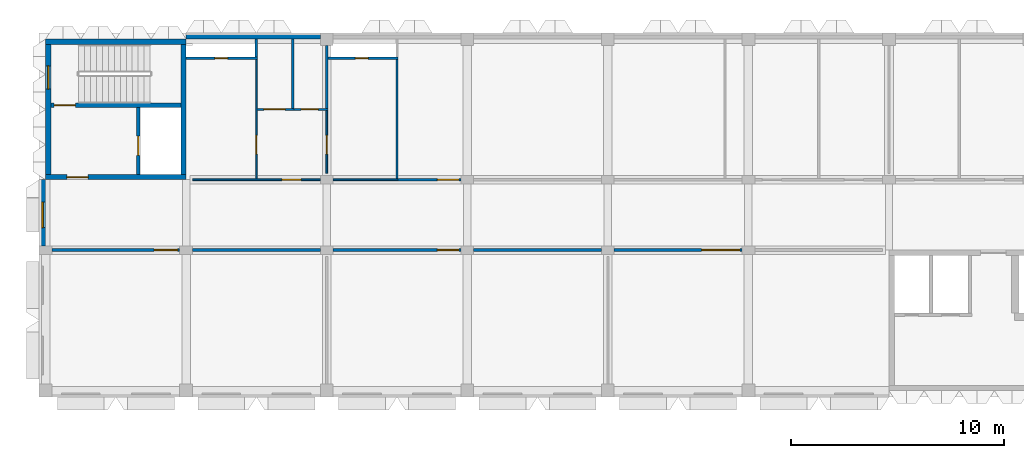
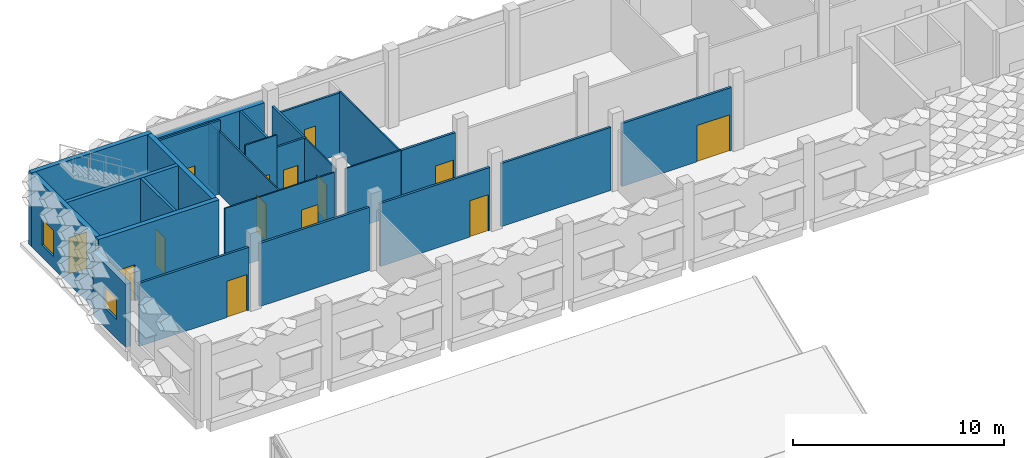
# One storey, part 58 of 109: 26 walls, 14 doors, 2 windows, 16 openings.
"""IFC4 building model written with IfcOpenShell, lengths in metres."""

from ifc_helpers import new_model, si_unit, direction, frame, frame_2d, origin, place, context, subcontext, project, spatial, rectangle, extrude, material, layer, layer_set, type_object, element, fill, save


model = new_model("IFC4")

# Units and contexts
model_context = context("Model", 3, precision=1e-05, world=origin(), true_north=direction((0.0, 1.0)))
body_context = subcontext(model_context, "Body", "Model", "MODEL_VIEW")
ifc_project = project(units=[si_unit("LENGTHUNIT", "METRE"), si_unit("AREAUNIT", "SQUARE_METRE"), si_unit("VOLUMEUNIT", "CUBIC_METRE"), si_unit("PLANEANGLEUNIT", "RADIAN"), si_unit("MASSUNIT", "GRAM", prefix="KILO")], contexts=[model_context])

# Site, building, storey
site_placement = place(None, origin())
site = spatial("IfcSite", under=ifc_project, at=site_placement, CompositionType="ELEMENT")
building_placement = place(site_placement, origin())
building = spatial("IfcBuilding", under=site, at=building_placement, Name="Lantern Court Research Institute", CompositionType="ELEMENT")
storey_placement = place(building_placement, frame((0.0, 0.0, 14.39990234375)))
storey = spatial("IfcBuildingStorey", under=building, at=storey_placement, Name="L03", CompositionType="ELEMENT", Elevation=14.39990234375)

# Wall, opening, window
ifc_material_1 = material(Name="Concrete C30/37", Category="concrete")
ifc_layer_1 = layer(ifc_material_1, 0.300048828125)
ifc_layer_set_1 = layer_set([ifc_layer_1], Name="Concrete C30/37")
wall_type_1 = type_object("IfcWallType", Name="Insulated concrete infill wall 300", PredefinedType="STANDARD", material=ifc_layer_set_1)
wall_1_placement = place(storey_placement, frame((-0.14990234375, 89.300048828125, 0.0), z_axis=(0.0, 0.0, 1.0), x_axis=(0.0, 1.0, 0.0)))
wall_1 = element("IfcWall", 1, at=wall_1_placement, inside=storey, type_object=wall_type_1, Name="Exterior wall EW202", PredefinedType="STANDARD", context=body_context, shape_type="SweptSolid", body=[
    extrude(rectangle(XDim=3.099853515625, YDim=0.300048828125, at=frame_2d((1.5498046875, 0.0))), origin(), (0.0, 0.0, 1.0), 3.650146484375),
])
opening_1_placement = place(wall_1_placement, frame((0.85009765625, 0.0, 1.10009765625)))
opening_1 = element("IfcOpeningElement", 2, at=opening_1_placement, cuts=wall_1, Name="Opening W05", PredefinedType="OPENING", context=body_context, shape_type="SweptSolid", body=[
    extrude(rectangle(XDim=1.199951171875, YDim=1.199951171875, at=frame_2d((0.60009765625, 0.60009765625))), frame((0.0, 0.159912109375, 0.0), z_axis=(0.0, -1.0, 0.0), x_axis=(1.0, 0.0, 0.0)), (0.0, 0.0, 1.0), 0.320068359375),
])
ifc_material_2 = material(Name="Aluminium frame with laminated low-emissivity glazing", Category="aluminium")
window_type_1 = type_object("IfcWindowType", Name="Corridor end window 1200 x 1200", PartitioningType="SINGLE_PANEL", PredefinedType="WINDOW", material=ifc_material_2)
window_1_placement = place(opening_1_placement, origin())
window_1 = element("IfcWindow", 3, at=window_1_placement, inside=storey, type_object=window_type_1, Name="Window W05 V6W L03", OverallHeight=1.199951171875, OverallWidth=1.199951171875, PartitioningType="SINGLE_PANEL", PredefinedType="WINDOW", context=body_context, shape_type="SweptSolid", body=[
    extrude(rectangle(XDim=1.199951171875, YDim=1.199951171875, at=frame_2d((0.60009765625, 0.60009765625))), frame((0.0, 0.030029296875, 0.0), z_axis=(0.0, -1.0, 0.0), x_axis=(1.0, 0.0, 0.0)), (0.0, 0.0, 1.0), 0.06005859375),
])
fill(opening_1, window_1)

# Wall
ifc_material_3 = material(Name="Concrete C30/37", Category="concrete")
ifc_layer_2 = layer(ifc_material_3, 0.300048828125)
ifc_layer_set_2 = layer_set([ifc_layer_2], Name="Concrete C30/37")
wall_type_2 = type_object("IfcWallType", Name="Party wall 300 concrete EI 120", PredefinedType="STANDARD", material=ifc_layer_set_2)
wall_2_placement = place(storey_placement, frame((6.60009765625, 99.14990234375, 0.0), z_axis=(0.0, 0.0, 1.0), x_axis=(1.0, 0.0, 0.0)))
element("IfcWall", 4, at=wall_2_placement, inside=storey, type_object=wall_type_2, Name="Exterior wall EW181", PredefinedType="STANDARD", context=body_context, shape_type="SweptSolid", body=[
    extrude(rectangle(XDim=6.2998046875, YDim=0.300048828125, at=frame_2d((3.14990234375, 0.0))), origin(), (0.0, 0.0, 1.0), 3.650146484375),
])

# Wall, opening, door
ifc_material_4 = material(Name="Gypsum board on metal studs")
ifc_layer_3 = layer(ifc_material_4, 0.125)
ifc_layer_set_3 = layer_set([ifc_layer_3], Name="Gypsum board on metal studs")
wall_type_3 = type_object("IfcWallType", Name="Protected corridor partition 125 mm EI 30", PredefinedType="PARTITIONING", material=ifc_layer_set_3)
wall_3_placement = place(storey_placement, frame((6.300048828125, 89.10009765625, 0.0), z_axis=(0.0, 0.0, 1.0), x_axis=(-1.0, 0.0, 0.0)))
wall_3 = element("IfcWall", 5, at=wall_3_placement, inside=storey, type_object=wall_type_3, Name="Wall V6-L03-001", PredefinedType="PARTITIONING", context=body_context, shape_type="SweptSolid", body=[
    extrude(rectangle(XDim=6.0, YDim=0.125, at=frame_2d((3.0, 0.0))), origin(), (0.0, 0.0, 1.0), 3.650146484375),
])
opening_2_placement = place(wall_3_placement, frame((0.10009765625, 0.0, 0.0)))
opening_2 = element("IfcOpeningElement", 6, at=opening_2_placement, cuts=wall_3, Name="Opening D6301", PredefinedType="OPENING", context=body_context, shape_type="SweptSolid", body=[
    extrude(rectangle(XDim=1.10009765625, YDim=2.10009765625, at=frame_2d((0.550048828125, 1.050048828125))), frame((0.0, 0.072509765625, 0.0), z_axis=(0.0, -1.0, 0.0), x_axis=(1.0, 0.0, 0.0)), (0.0, 0.0, 1.0), 0.14501953125),
])
ifc_material_5 = material(Name="Timber veneered door leaf", Category="wood")
door_type_1 = type_object("IfcDoorType", Name="Door 1100 x 2100 suite FD30S", OperationType="NOTDEFINED", PredefinedType="DOOR", material=ifc_material_5)
door_1_placement = place(opening_2_placement, origin())
door_1 = element("IfcDoor", 7, at=door_1_placement, inside=storey, type_object=door_type_1, Name="Door D6301", OperationType="SINGLE_SWING_RIGHT", OverallHeight=2.10009765625, OverallWidth=1.10009765625, PredefinedType="DOOR", context=body_context, shape_type="SweptSolid", body=[
    extrude(rectangle(XDim=1.10009765625, YDim=2.10009765625, at=frame_2d((0.550048828125, 1.050048828125))), frame((0.0, 0.02490234375, 0.0), z_axis=(0.0, -1.0, 0.0), x_axis=(1.0, 0.0, 0.0)), (0.0, 0.0, 1.0), 0.050048828125),
])
fill(opening_2, door_1)

# Wall
wall_4_placement = place(storey_placement, frame((6.89990234375, 89.10009765625, 0.0), z_axis=(0.0, 0.0, 1.0), x_axis=(1.0, 0.0, 0.0)))
element("IfcWall", 8, at=wall_4_placement, inside=storey, type_object=wall_type_3, Name="Wall V6-L03-002", PredefinedType="PARTITIONING", context=body_context, shape_type="SweptSolid", body=[
    extrude(rectangle(XDim=6.0, YDim=0.125, at=frame_2d((3.0, 0.0))), origin(), (0.0, 0.0, 1.0), 3.650146484375),
])

# Wall, opening, door
wall_5_placement = place(storey_placement, frame((19.5, 89.10009765625, 0.0), z_axis=(0.0, 0.0, 1.0), x_axis=(-1.0, 0.0, 0.0)))
wall_5 = element("IfcWall", 9, at=wall_5_placement, inside=storey, type_object=wall_type_3, Name="Wall V6-L03-003", PredefinedType="PARTITIONING", context=body_context, shape_type="SweptSolid", body=[
    extrude(rectangle(XDim=6.0, YDim=0.125, at=frame_2d((3.0, 0.0))), origin(), (0.0, 0.0, 1.0), 3.650146484375),
])
opening_3_placement = place(wall_5_placement, frame((0.10009765625, 0.0, 0.0)))
opening_3 = element("IfcOpeningElement", 10, at=opening_3_placement, cuts=wall_5, Name="Opening D6302", PredefinedType="OPENING", context=body_context, shape_type="SweptSolid", body=[
    extrude(rectangle(XDim=1.0, YDim=2.10009765625, at=frame_2d((0.5, 1.050048828125))), frame((0.0, 0.072509765625, 0.0), z_axis=(0.0, -1.0, 0.0), x_axis=(1.0, 0.0, 0.0)), (0.0, 0.0, 1.0), 0.14501953125),
])
ifc_material_6 = material(Name="Timber veneered door leaf", Category="wood")
door_type_2 = type_object("IfcDoorType", Name="Door 1000 x 2100 meeting room FD30S", OperationType="NOTDEFINED", PredefinedType="DOOR", material=ifc_material_6)
door_2_placement = place(opening_3_placement, origin())
door_2 = element("IfcDoor", 11, at=door_2_placement, inside=storey, type_object=door_type_2, Name="Door D6302", OperationType="SINGLE_SWING_RIGHT", OverallHeight=2.10009765625, OverallWidth=1.0, PredefinedType="DOOR", context=body_context, shape_type="SweptSolid", body=[
    extrude(rectangle(XDim=1.0, YDim=2.10009765625, at=frame_2d((0.5, 1.050048828125))), frame((0.0, 0.02490234375, 0.0), z_axis=(0.0, -1.0, 0.0), x_axis=(1.0, 0.0, 0.0)), (0.0, 0.0, 1.0), 0.050048828125),
])
fill(opening_3, door_2)

# Wall
wall_6_placement = place(storey_placement, frame((20.10009765625, 89.10009765625, 0.0), z_axis=(0.0, 0.0, 1.0), x_axis=(1.0, 0.0, 0.0)))
element("IfcWall", 12, at=wall_6_placement, inside=storey, type_object=wall_type_3, Name="Wall V6-L03-004", PredefinedType="PARTITIONING", context=body_context, shape_type="SweptSolid", body=[
    extrude(rectangle(XDim=6.0, YDim=0.125, at=frame_2d((3.0, 0.0))), origin(), (0.0, 0.0, 1.0), 3.650146484375),
])

# Wall, opening, door
wall_7_placement = place(storey_placement, frame((26.699951171875, 89.10009765625, 0.0), z_axis=(0.0, 0.0, 1.0), x_axis=(1.0, 0.0, 0.0)))
wall_7 = element("IfcWall", 13, at=wall_7_placement, inside=storey, type_object=wall_type_3, Name="Wall V6-L03-005", PredefinedType="PARTITIONING", context=body_context, shape_type="SweptSolid", body=[
    extrude(rectangle(XDim=6.0, YDim=0.125, at=frame_2d((3.0, 0.0))), origin(), (0.0, 0.0, 1.0), 3.650146484375),
])
opening_4_placement = place(wall_7_placement, frame((4.10009765625, 0.0, 0.0)))
opening_4 = element("IfcOpeningElement", 14, at=opening_4_placement, cuts=wall_7, Name="Opening D6303", PredefinedType="OPENING", context=body_context, shape_type="SweptSolid", body=[
    extrude(rectangle(XDim=1.800048828125, YDim=2.10009765625, at=frame_2d((0.89990234375, 1.050048828125))), frame((0.0, 0.072509765625, 0.0), z_axis=(0.0, -1.0, 0.0), x_axis=(1.0, 0.0, 0.0)), (0.0, 0.0, 1.0), 0.14501953125),
])
ifc_material_7 = material(Name="Timber veneered door leaf", Category="wood")
door_type_3 = type_object("IfcDoorType", Name="Door 1800 x 2100 reception pair FD30S", OperationType="DOUBLE_DOOR_SINGLE_SWING", PredefinedType="DOOR", material=ifc_material_7)
door_3_placement = place(opening_4_placement, origin())
door_3 = element("IfcDoor", 15, at=door_3_placement, inside=storey, type_object=door_type_3, Name="Door D6303", OperationType="DOUBLE_DOOR_SINGLE_SWING", OverallHeight=2.10009765625, OverallWidth=1.800048828125, PredefinedType="DOOR", context=body_context, shape_type="SweptSolid", body=[
    extrude(rectangle(XDim=1.800048828125, YDim=2.10009765625, at=frame_2d((0.89990234375, 1.050048828125))), frame((0.0, 0.02490234375, 0.0), z_axis=(0.0, -1.0, 0.0), x_axis=(1.0, 0.0, 0.0)), (0.0, 0.0, 1.0), 0.050048828125),
])
fill(opening_4, door_3)

wall_8_placement = place(storey_placement, frame((16.5380859375, 92.39990234375, 0.0), z_axis=(0.0, 0.0, 1.0), x_axis=(1.0, 0.0, 0.0)))
wall_8 = element("IfcWall", 16, at=wall_8_placement, inside=storey, type_object=wall_type_3, Name="Wall V6-L03-013", PredefinedType="PARTITIONING", context=body_context, shape_type="SweptSolid", body=[
    extrude(rectangle(XDim=2.9619140625, YDim=0.125, at=frame_2d((1.48095703125, 0.0))), origin(), (0.0, 0.0, 1.0), 3.650146484375),
])
opening_5_placement = place(wall_8_placement, frame((1.862060546875, 0.0, 0.0)))
opening_5 = element("IfcOpeningElement", 17, at=opening_5_placement, cuts=wall_8, Name="Opening D6310", PredefinedType="OPENING", context=body_context, shape_type="SweptSolid", body=[
    extrude(rectangle(XDim=1.0, YDim=2.10009765625, at=frame_2d((0.5, 1.050048828125))), frame((0.0, 0.072509765625, 0.0), z_axis=(0.0, -1.0, 0.0), x_axis=(1.0, 0.0, 0.0)), (0.0, 0.0, 1.0), 0.14501953125),
])
door_4_placement = place(opening_5_placement, origin())
door_4 = element("IfcDoor", 18, at=door_4_placement, inside=storey, type_object=door_type_2, Name="Door D6310", OperationType="SINGLE_SWING_LEFT", OverallHeight=2.10009765625, OverallWidth=1.0, PredefinedType="DOOR", context=body_context, shape_type="SweptSolid", body=[
    extrude(rectangle(XDim=1.0, YDim=2.10009765625, at=frame_2d((0.5, 1.050048828125))), frame((0.0, 0.02490234375, 0.0), z_axis=(0.0, -1.0, 0.0), x_axis=(1.0, 0.0, 0.0)), (0.0, 0.0, 1.0), 0.050048828125),
])
fill(opening_5, door_4)

ifc_material_8 = material(Name="Concrete C40/50", Category="concrete")
ifc_layer_4 = layer(ifc_material_8, 0.25)
ifc_layer_set_4 = layer_set([ifc_layer_4], Name="Concrete C40/50")
wall_type_4 = type_object("IfcWallType", Name="RC core wall 250", PredefinedType="SHEAR", material=ifc_layer_set_4)
wall_9_placement = place(storey_placement, frame((0.0, 92.52490234375, 0.0), z_axis=(0.0, 0.0, 1.0), x_axis=(1.0, 0.0, 0.0)))
wall_9 = element("IfcWall", 19, at=wall_9_placement, inside=storey, type_object=wall_type_4, Name="South wall of core WC-W", PredefinedType="SHEAR", context=body_context, shape_type="SweptSolid", body=[
    extrude(rectangle(XDim=6.60009765625, YDim=0.25, at=frame_2d((3.300048828125, 0.0))), origin(), (0.0, 0.0, 1.0), 4.25),
])
opening_6_placement = place(wall_9_placement, frame((1.0, 0.0, 0.0)))
opening_6 = element("IfcOpeningElement", 20, at=opening_6_placement, cuts=wall_9, Name="Opening D7211", PredefinedType="OPENING", context=body_context, shape_type="SweptSolid", body=[
    extrude(rectangle(XDim=1.0, YDim=2.10009765625, at=frame_2d((0.5, 1.050048828125))), frame((0.0, 0.135009765625, 0.0), z_axis=(0.0, -1.0, 0.0), x_axis=(1.0, 0.0, 0.0)), (0.0, 0.0, 1.0), 0.27001953125),
])
ifc_material_9 = material(Name="Steel fire door leaf with smoke seals", Category="steel")
door_type_4 = type_object("IfcDoorType", Name="Door 1000 x 2100 fire rated FD60S", OperationType="NOTDEFINED", PredefinedType="DOOR", material=ifc_material_9)
door_5_placement = place(opening_6_placement, origin())
door_5 = element("IfcDoor", 21, at=door_5_placement, inside=storey, type_object=door_type_4, Name="Lobby door", OperationType="SINGLE_SWING_RIGHT", OverallHeight=2.10009765625, OverallWidth=1.0, PredefinedType="DOOR", context=body_context, shape_type="SweptSolid", body=[
    extrude(rectangle(XDim=1.0, YDim=2.10009765625, at=frame_2d((0.5, 1.050048828125))), frame((0.0, 0.02490234375, 0.0), z_axis=(0.0, -1.0, 0.0), x_axis=(1.0, 0.0, 0.0)), (0.0, 0.0, 1.0), 0.050048828125),
])
fill(opening_6, door_5)

# Walls
wall_10_placement = place(storey_placement, frame((6.47509765625, 92.64990234375, 0.0), z_axis=(0.0, 0.0, 1.0), x_axis=(0.0, 1.0, 0.0)))
element("IfcWall", 22, at=wall_10_placement, inside=storey, type_object=wall_type_4, Name="East wall of core WC-W", PredefinedType="SHEAR", context=body_context, shape_type="SweptSolid", body=[
    extrude(rectangle(XDim=6.10009765625, YDim=0.25, at=frame_2d((3.050048828125, 0.0))), origin(), (0.0, 0.0, 1.0), 4.25),
])
ifc_material_10 = material(Name="Concrete C40/50", Category="concrete")
ifc_layer_5 = layer(ifc_material_10, 0.25)
ifc_layer_set_5 = layer_set([ifc_layer_5], Name="Concrete C40/50")
wall_type_5 = type_object("IfcWallType", Name="RC core wall 250 facade", PredefinedType="SHEAR", material=ifc_layer_set_5)
wall_11_placement = place(storey_placement, frame((0.0, 98.875, 0.0), z_axis=(0.0, 0.0, 1.0), x_axis=(1.0, 0.0, 0.0)))
element("IfcWall", 23, at=wall_11_placement, inside=storey, type_object=wall_type_5, Name="North wall of core WC-W", PredefinedType="SHEAR", context=body_context, shape_type="SweptSolid", body=[
    extrude(rectangle(XDim=6.60009765625, YDim=0.25, at=frame_2d((3.300048828125, 0.0))), origin(), (0.0, 0.0, 1.0), 4.25),
])

# Wall, opening, window
wall_12_placement = place(storey_placement, frame((0.125, 92.64990234375, 0.0), z_axis=(0.0, 0.0, 1.0), x_axis=(0.0, 1.0, 0.0)))
wall_12 = element("IfcWall", 24, at=wall_12_placement, inside=storey, type_object=wall_type_5, Name="West wall of core WC-W", PredefinedType="SHEAR", context=body_context, shape_type="SweptSolid", body=[
    extrude(rectangle(XDim=6.10009765625, YDim=0.25, at=frame_2d((3.050048828125, 0.0))), origin(), (0.0, 0.0, 1.0), 4.25),
])
opening_7_placement = place(wall_12_placement, frame((4.0, 0.0, 0.699951171875)))
opening_7 = element("IfcOpeningElement", 25, at=opening_7_placement, cuts=wall_12, Name="Opening W5", PredefinedType="OPENING", context=body_context, shape_type="SweptSolid", body=[
    extrude(rectangle(XDim=1.10009765625, YDim=1.5, at=frame_2d((0.550048828125, 0.75))), frame((0.0, 0.135009765625, 0.0), z_axis=(0.0, -1.0, 0.0), x_axis=(1.0, 0.0, 0.0)), (0.0, 0.0, 1.0), 0.27001953125),
])
ifc_material_11 = material(Name="Aluminium alloy 6063-T6 frame with laminated glass", Category="aluminium")
window_type_2 = type_object("IfcWindowType", Name="Stair window 1100 x 1500", PartitioningType="SINGLE_PANEL", PredefinedType="WINDOW", material=ifc_material_11)
window_2_placement = place(opening_7_placement, origin())
window_2 = element("IfcWindow", 26, at=window_2_placement, inside=storey, type_object=window_type_2, Name="Stair window", OverallHeight=1.5, OverallWidth=1.10009765625, PartitioningType="SINGLE_PANEL", PredefinedType="WINDOW", context=body_context, shape_type="SweptSolid", body=[
    extrude(rectangle(XDim=1.10009765625, YDim=1.5, at=frame_2d((0.550048828125, 0.75))), frame((0.0, 0.030029296875, 0.0), z_axis=(0.0, -1.0, 0.0), x_axis=(1.0, 0.0, 0.0)), (0.0, 0.0, 1.0), 0.06005859375),
])
fill(opening_7, window_2)

# Wall, opening, door
ifc_material_12 = material(Name="Concrete C40/50", Category="concrete")
ifc_layer_6 = layer(ifc_material_12, 0.14990234375)
ifc_layer_set_6 = layer_set([ifc_layer_6], Name="Concrete C40/50")
wall_type_6 = type_object("IfcWallType", Name="RC shaft wall 150", PredefinedType="SHEAR", material=ifc_layer_set_6)
wall_13_placement = place(storey_placement, frame((4.35009765625, 92.64990234375, 0.0), z_axis=(0.0, 0.0, 1.0), x_axis=(0.0, 1.0, 0.0)))
wall_13 = element("IfcWall", 27, at=wall_13_placement, inside=storey, type_object=wall_type_6, Name="Riser wall of core WC-W", PredefinedType="SHEAR", context=body_context, shape_type="SweptSolid", body=[
    extrude(rectangle(XDim=3.150146484375, YDim=0.14990234375, at=frame_2d((1.5751953125, 0.0))), origin(), (0.0, 0.0, 1.0), 4.25),
])
opening_8_placement = place(wall_13_placement, frame((0.89990234375, 0.0, 0.0)))
opening_8 = element("IfcOpeningElement", 28, at=opening_8_placement, cuts=wall_13, Name="Opening D7210", PredefinedType="OPENING", context=body_context, shape_type="SweptSolid", body=[
    extrude(rectangle(XDim=0.89990234375, YDim=2.10009765625, at=frame_2d((0.449951171875, 1.050048828125))), frame((0.0, 0.0849609375, 0.0), z_axis=(0.0, -1.0, 0.0), x_axis=(1.0, 0.0, 0.0)), (0.0, 0.0, 1.0), 0.169921875),
])
ifc_material_13 = material(Name="Steel fire door leaf", Category="steel")
door_type_5 = type_object("IfcDoorType", Name="Door 900 x 2100 fire rated FD60", OperationType="NOTDEFINED", PredefinedType="DOOR", material=ifc_material_13)
door_6_placement = place(opening_8_placement, origin())
door_6 = element("IfcDoor", 29, at=door_6_placement, inside=storey, type_object=door_type_5, Name="Riser door", OperationType="SINGLE_SWING_RIGHT", OverallHeight=2.10009765625, OverallWidth=0.89990234375, PredefinedType="DOOR", context=body_context, shape_type="SweptSolid", body=[
    extrude(rectangle(XDim=0.89990234375, YDim=2.10009765625, at=frame_2d((0.449951171875, 1.050048828125))), frame((0.0, 0.02490234375, 0.0), z_axis=(0.0, -1.0, 0.0), x_axis=(1.0, 0.0, 0.0)), (0.0, 0.0, 1.0), 0.050048828125),
])
fill(opening_8, door_6)

ifc_material_14 = material(Name="Concrete C40/50", Category="concrete")
ifc_layer_7 = layer(ifc_material_14, 0.199951171875)
ifc_layer_set_7 = layer_set([ifc_layer_7], Name="Concrete C40/50")
wall_type_7 = type_object("IfcWallType", Name="RC shaft wall 200", PredefinedType="SHEAR", material=ifc_layer_set_7)
wall_14_placement = place(storey_placement, frame((0.25, 95.89990234375, 0.0), z_axis=(0.0, 0.0, 1.0), x_axis=(1.0, 0.0, 0.0)))
wall_14 = element("IfcWall", 30, at=wall_14_placement, inside=storey, type_object=wall_type_7, Name="Stair wall of core WC-W", PredefinedType="SHEAR", context=body_context, shape_type="SweptSolid", body=[
    extrude(rectangle(XDim=6.10009765625, YDim=0.199951171875, at=frame_2d((3.050048828125, 0.0))), origin(), (0.0, 0.0, 1.0), 4.25),
])
opening_9_placement = place(wall_14_placement, frame((0.14990234375, 0.0, 0.0)))
opening_9 = element("IfcOpeningElement", 31, at=opening_9_placement, cuts=wall_14, Name="Opening D7212", PredefinedType="OPENING", context=body_context, shape_type="SweptSolid", body=[
    extrude(rectangle(XDim=1.0, YDim=2.10009765625, at=frame_2d((0.5, 1.050048828125))), frame((0.0, 0.10986328125, 0.0), z_axis=(0.0, -1.0, 0.0), x_axis=(1.0, 0.0, 0.0)), (0.0, 0.0, 1.0), 0.219970703125),
])
door_7_placement = place(opening_9_placement, origin())
door_7 = element("IfcDoor", 32, at=door_7_placement, inside=storey, type_object=door_type_4, Name="Stair door", OperationType="SINGLE_SWING_RIGHT", OverallHeight=2.10009765625, OverallWidth=1.0, PredefinedType="DOOR", context=body_context, shape_type="SweptSolid", body=[
    extrude(rectangle(XDim=1.0, YDim=2.10009765625, at=frame_2d((0.5, 1.050048828125))), frame((0.0, 0.02490234375, 0.0), z_axis=(0.0, -1.0, 0.0), x_axis=(1.0, 0.0, 0.0)), (0.0, 0.0, 1.0), 0.050048828125),
])
fill(opening_9, door_7)

ifc_material_15 = material(Name="Fire-rated gypsum board on metal studs")
ifc_layer_8 = layer(ifc_material_15, 0.110107421875)
ifc_layer_set_8 = layer_set([ifc_layer_8], Name="Fire-rated gypsum board on metal studs")
wall_type_8 = type_object("IfcWallType", Name="Riser wall 110 mm EI 60", PredefinedType="PARTITIONING", material=ifc_layer_set_8)
wall_15_placement = place(storey_placement, frame((11.655029296875, 95.699951171875, 0.0), z_axis=(0.0, 0.0, 1.0), x_axis=(1.0, 0.0, 0.0)))
wall_15 = element("IfcWall", 33, at=wall_15_placement, inside=storey, type_object=wall_type_8, Name="Wall V6-L03-024", PredefinedType="PARTITIONING", context=body_context, shape_type="SweptSolid", body=[
    extrude(rectangle(XDim=1.599853515625, YDim=0.110107421875, at=frame_2d((0.7998046875, 0.0))), origin(), (0.0, 0.0, 1.0), 3.550048828125),
])
opening_10_placement = place(wall_15_placement, frame((0.344970703125, 0.0, 0.0)))
opening_10 = element("IfcOpeningElement", 34, at=opening_10_placement, cuts=wall_15, Name="Opening D6320", PredefinedType="OPENING", context=body_context, shape_type="SweptSolid", body=[
    extrude(rectangle(XDim=0.800048828125, YDim=2.10009765625, at=frame_2d((0.39990234375, 1.050048828125))), frame((0.0, 0.06494140625, 0.0), z_axis=(0.0, -1.0, 0.0), x_axis=(1.0, 0.0, 0.0)), (0.0, 0.0, 1.0), 0.130126953125),
])
ifc_material_16 = material(Name="Coated metal door leaf")
door_type_6 = type_object("IfcDoorType", Name="Door 800 x 2100 cleaners store FD60", OperationType="NOTDEFINED", PredefinedType="DOOR", material=ifc_material_16)
door_8_placement = place(opening_10_placement, origin())
door_8 = element("IfcDoor", 35, at=door_8_placement, inside=storey, type_object=door_type_6, Name="Door D6320", OperationType="SINGLE_SWING_RIGHT", OverallHeight=2.10009765625, OverallWidth=0.800048828125, PredefinedType="DOOR", context=body_context, shape_type="SweptSolid", body=[
    extrude(rectangle(XDim=0.800048828125, YDim=2.10009765625, at=frame_2d((0.39990234375, 1.050048828125))), frame((0.0, 0.02490234375, 0.0), z_axis=(0.0, -1.0, 0.0), x_axis=(1.0, 0.0, 0.0)), (0.0, 0.0, 1.0), 0.050048828125),
])
fill(opening_10, door_8)

wall_16_placement = place(storey_placement, frame((9.955078125, 98.10009765625, 0.0), z_axis=(0.0, 0.0, 1.0), x_axis=(-1.0, 0.0, 0.0)))
wall_16 = element("IfcWall", 36, at=wall_16_placement, inside=storey, type_object=wall_type_8, Name="Wall V6-L03-027", PredefinedType="PARTITIONING", context=body_context, shape_type="SweptSolid", body=[
    extrude(rectangle(XDim=3.35498046875, YDim=0.110107421875, at=frame_2d((1.677490234375, 0.0))), origin(), (0.0, 0.0, 1.0), 4.25),
])
opening_11_placement = place(wall_16_placement, frame((1.405029296875, 0.0, 0.0)))
opening_11 = element("IfcOpeningElement", 37, at=opening_11_placement, cuts=wall_16, Name="Opening D6323", PredefinedType="OPENING", context=body_context, shape_type="SweptSolid", body=[
    extrude(rectangle(XDim=0.60009765625, YDim=2.10009765625, at=frame_2d((0.300048828125, 1.050048828125))), frame((0.0, 0.06494140625, 0.0), z_axis=(0.0, -1.0, 0.0), x_axis=(1.0, 0.0, 0.0)), (0.0, 0.0, 1.0), 0.130126953125),
])
ifc_material_17 = material(Name="Coated metal door leaf")
door_type_7 = type_object("IfcDoorType", Name="Door 600 x 2100 riser FD60", OperationType="NOTDEFINED", PredefinedType="DOOR", material=ifc_material_17)
door_9_placement = place(opening_11_placement, origin())
door_9 = element("IfcDoor", 38, at=door_9_placement, inside=storey, type_object=door_type_7, Name="Door D6323", OperationType="SINGLE_SWING_RIGHT", OverallHeight=2.10009765625, OverallWidth=0.60009765625, PredefinedType="DOOR", context=body_context, shape_type="SweptSolid", body=[
    extrude(rectangle(XDim=0.60009765625, YDim=2.10009765625, at=frame_2d((0.300048828125, 1.050048828125))), frame((0.0, 0.02490234375, 0.0), z_axis=(0.0, -1.0, 0.0), x_axis=(1.0, 0.0, 0.0)), (0.0, 0.0, 1.0), 0.050048828125),
])
fill(opening_11, door_9)

wall_17_placement = place(storey_placement, frame((16.554931640625, 98.10009765625, 0.0), z_axis=(0.0, 0.0, 1.0), x_axis=(-1.0, 0.0, 0.0)))
wall_17 = element("IfcWall", 39, at=wall_17_placement, inside=storey, type_object=wall_type_8, Name="Wall V6-L03-028", PredefinedType="PARTITIONING", context=body_context, shape_type="SweptSolid", body=[
    extrude(rectangle(XDim=3.300048828125, YDim=0.110107421875, at=frame_2d((1.64990234375, 0.0))), origin(), (0.0, 0.0, 1.0), 3.550048828125),
])
opening_12_placement = place(wall_17_placement, frame((1.405029296875, 0.0, 0.0)))
opening_12 = element("IfcOpeningElement", 40, at=opening_12_placement, cuts=wall_17, Name="Opening D6324", PredefinedType="OPENING", context=body_context, shape_type="SweptSolid", body=[
    extrude(rectangle(XDim=0.60009765625, YDim=2.10009765625, at=frame_2d((0.300048828125, 1.050048828125))), frame((0.0, 0.06494140625, 0.0), z_axis=(0.0, -1.0, 0.0), x_axis=(1.0, 0.0, 0.0)), (0.0, 0.0, 1.0), 0.130126953125),
])
door_10_placement = place(opening_12_placement, origin())
door_10 = element("IfcDoor", 41, at=door_10_placement, inside=storey, type_object=door_type_7, Name="Door D6324", OperationType="SINGLE_SWING_RIGHT", OverallHeight=2.10009765625, OverallWidth=0.60009765625, PredefinedType="DOOR", context=body_context, shape_type="SweptSolid", body=[
    extrude(rectangle(XDim=0.60009765625, YDim=2.10009765625, at=frame_2d((0.300048828125, 1.050048828125))), frame((0.0, 0.02490234375, 0.0), z_axis=(0.0, -1.0, 0.0), x_axis=(1.0, 0.0, 0.0)), (0.0, 0.0, 1.0), 0.050048828125),
])
fill(opening_12, door_10)

# Walls
wall_18_placement = place(storey_placement, frame((9.89990234375, 98.155029296875, 0.0), z_axis=(0.0, 0.0, 1.0), x_axis=(0.0, 1.0, 0.0)))
element("IfcWall", 42, at=wall_18_placement, inside=storey, type_object=wall_type_8, Name="Wall V6-L03-032", PredefinedType="PARTITIONING", context=body_context, shape_type="SweptSolid", body=[
    extrude(rectangle(XDim=0.844970703125, YDim=0.110107421875, at=frame_2d((0.42236328125, 0.0))), origin(), (0.0, 0.0, 1.0), 3.650146484375),
])
wall_19_placement = place(storey_placement, frame((11.60009765625, 95.7548828125, 0.0), z_axis=(0.0, 0.0, 1.0), x_axis=(0.0, 1.0, 0.0)))
element("IfcWall", 43, at=wall_19_placement, inside=storey, type_object=wall_type_8, Name="Wall V6-L03-033", PredefinedType="PARTITIONING", context=body_context, shape_type="SweptSolid", body=[
    extrude(rectangle(XDim=3.2451171875, YDim=0.110107421875, at=frame_2d((1.62255859375, 0.0))), origin(), (0.0, 0.0, 1.0), 3.650146484375),
])
wall_20_placement = place(storey_placement, frame((13.199951171875, 95.7548828125, 0.0), z_axis=(0.0, 0.0, 1.0), x_axis=(0.0, 1.0, 0.0)))
element("IfcWall", 44, at=wall_20_placement, inside=storey, type_object=wall_type_8, Name="Wall V6-L03-036", PredefinedType="PARTITIONING", context=body_context, shape_type="SweptSolid", body=[
    extrude(rectangle(XDim=2.945068359375, YDim=0.110107421875, at=frame_2d((1.47265625, 0.0))), origin(), (0.0, 0.0, 1.0), 3.550048828125),
])

# Wall, opening, door
ifc_material_18 = material(Name="Gypsum board on metal studs")
ifc_layer_9 = layer(ifc_material_18, 0.074951171875)
ifc_layer_set_9 = layer_set([ifc_layer_9], Name="Gypsum board on metal studs")
wall_type_9 = type_object("IfcWallType", Name="Service partition 75 mm", PredefinedType="PARTITIONING", material=ifc_layer_set_9)
wall_21_placement = place(storey_placement, frame((11.655029296875, 95.699951171875, 0.0), z_axis=(0.0, 0.0, 1.0), x_axis=(-1.0, 0.0, 0.0)))
wall_21 = element("IfcWall", 45, at=wall_21_placement, inside=storey, type_object=wall_type_9, Name="Wall V6-L03-023", PredefinedType="PARTITIONING", context=body_context, shape_type="SweptSolid", body=[
    extrude(rectangle(XDim=1.717041015625, YDim=0.074951171875, at=frame_2d((0.8583984375, 0.0))), origin(), (0.0, 0.0, 1.0), 4.25),
])
opening_13_placement = place(wall_21_placement, frame((0.405029296875, 0.0, 0.0)))
opening_13 = element("IfcOpeningElement", 46, at=opening_13_placement, cuts=wall_21, Name="Opening D6319", PredefinedType="OPENING", context=body_context, shape_type="SweptSolid", body=[
    extrude(rectangle(XDim=1.0, YDim=2.10009765625, at=frame_2d((0.5, 1.050048828125))), frame((0.0, 0.04736328125, 0.0), z_axis=(0.0, -1.0, 0.0), x_axis=(1.0, 0.0, 0.0)), (0.0, 0.0, 1.0), 0.094970703125),
])
ifc_material_19 = material(Name="Timber veneered door leaf", Category="wood")
door_type_8 = type_object("IfcDoorType", Name="Door 1000 x 2100 accessible WC", OperationType="NOTDEFINED", PredefinedType="DOOR", material=ifc_material_19)
door_11_placement = place(opening_13_placement, origin())
door_11 = element("IfcDoor", 47, at=door_11_placement, inside=storey, type_object=door_type_8, Name="Door D6319", OperationType="SINGLE_SWING_RIGHT", OverallHeight=2.10009765625, OverallWidth=1.0, PredefinedType="DOOR", context=body_context, shape_type="SweptSolid", body=[
    extrude(rectangle(XDim=1.0, YDim=2.10009765625, at=frame_2d((0.5, 1.050048828125))), frame((0.0, 0.02490234375, 0.0), z_axis=(0.0, -1.0, 0.0), x_axis=(1.0, 0.0, 0.0)), (0.0, 0.0, 1.0), 0.050048828125),
])
fill(opening_13, door_11)

wall_22_placement = place(storey_placement, frame((9.89990234375, 92.43798828125, 0.0), z_axis=(0.0, 0.0, 1.0), x_axis=(0.0, 1.0, 0.0)))
wall_22 = element("IfcWall", 48, at=wall_22_placement, inside=storey, type_object=wall_type_9, Name="Wall V6-L03-031", PredefinedType="PARTITIONING", context=body_context, shape_type="SweptSolid", body=[
    extrude(rectangle(XDim=5.60693359375, YDim=0.074951171875, at=frame_2d((2.803466796875, 0.0))), origin(), (0.0, 0.0, 1.0), 3.650146484375),
])
opening_14_placement = place(wall_22_placement, frame((1.162109375, 0.0, 0.0)))
opening_14 = element("IfcOpeningElement", 49, at=opening_14_placement, cuts=wall_22, Name="Opening D6327", PredefinedType="OPENING", context=body_context, shape_type="SweptSolid", body=[
    extrude(rectangle(XDim=0.89990234375, YDim=2.10009765625, at=frame_2d((0.449951171875, 1.050048828125))), frame((0.0, 0.04736328125, 0.0), z_axis=(0.0, -1.0, 0.0), x_axis=(1.0, 0.0, 0.0)), (0.0, 0.0, 1.0), 0.094970703125),
])
ifc_material_20 = material(Name="Timber veneered door leaf", Category="wood")
door_type_9 = type_object("IfcDoorType", Name="Door 900 x 2100 WC", OperationType="NOTDEFINED", PredefinedType="DOOR", material=ifc_material_20)
door_12_placement = place(opening_14_placement, origin())
door_12 = element("IfcDoor", 50, at=door_12_placement, inside=storey, type_object=door_type_9, Name="Door D6327", OperationType="SINGLE_SWING_LEFT", OverallHeight=2.10009765625, OverallWidth=0.89990234375, PredefinedType="DOOR", context=body_context, shape_type="SweptSolid", body=[
    extrude(rectangle(XDim=0.89990234375, YDim=2.10009765625, at=frame_2d((0.449951171875, 1.050048828125))), frame((0.0, 0.02490234375, 0.0), z_axis=(0.0, -1.0, 0.0), x_axis=(1.0, 0.0, 0.0)), (0.0, 0.0, 1.0), 0.050048828125),
])
fill(opening_14, door_12)

wall_23_placement = place(storey_placement, frame((13.199951171875, 95.64501953125, 0.0), z_axis=(0.0, 0.0, 1.0), x_axis=(0.0, -1.0, 0.0)))
wall_23 = element("IfcWall", 51, at=wall_23_placement, inside=storey, type_object=wall_type_9, Name="Wall V6-L03-035", PredefinedType="PARTITIONING", context=body_context, shape_type="SweptSolid", body=[
    extrude(rectangle(XDim=2.945068359375, YDim=0.074951171875, at=frame_2d((1.47265625, 0.0))), origin(), (0.0, 0.0, 1.0), 3.550048828125),
])
opening_15_placement = place(wall_23_placement, frame((1.14501953125, 0.0, 0.0)))
opening_15 = element("IfcOpeningElement", 52, at=opening_15_placement, cuts=wall_23, Name="Opening D6328", PredefinedType="OPENING", context=body_context, shape_type="SweptSolid", body=[
    extrude(rectangle(XDim=0.89990234375, YDim=2.10009765625, at=frame_2d((0.449951171875, 1.050048828125))), frame((0.0, 0.04736328125, 0.0), z_axis=(0.0, -1.0, 0.0), x_axis=(1.0, 0.0, 0.0)), (0.0, 0.0, 1.0), 0.094970703125),
])
door_13_placement = place(opening_15_placement, origin())
door_13 = element("IfcDoor", 53, at=door_13_placement, inside=storey, type_object=door_type_9, Name="Door D6328", OperationType="SINGLE_SWING_RIGHT", OverallHeight=2.10009765625, OverallWidth=0.89990234375, PredefinedType="DOOR", context=body_context, shape_type="SweptSolid", body=[
    extrude(rectangle(XDim=0.89990234375, YDim=2.10009765625, at=frame_2d((0.449951171875, 1.050048828125))), frame((0.0, 0.02490234375, 0.0), z_axis=(0.0, -1.0, 0.0), x_axis=(1.0, 0.0, 0.0)), (0.0, 0.0, 1.0), 0.050048828125),
])
fill(opening_15, door_13)

# Wall
wall_24_placement = place(storey_placement, frame((16.5, 92.462890625, 0.0), z_axis=(0.0, 0.0, 1.0), x_axis=(0.0, 1.0, 0.0)))
element("IfcWall", 54, at=wall_24_placement, inside=storey, type_object=wall_type_9, Name="Wall V6-L03-037", PredefinedType="PARTITIONING", context=body_context, shape_type="SweptSolid", body=[
    extrude(rectangle(XDim=5.58203125, YDim=0.074951171875, at=frame_2d((2.791015625, 0.0))), origin(), (0.0, 0.0, 1.0), 3.650146484375),
])

# Wall, opening, door
ifc_material_21 = material(Name="Gypsum board on metal studs")
ifc_layer_10 = layer(ifc_material_21, 0.074951171875)
ifc_layer_set_10 = layer_set([ifc_layer_10], Name="Gypsum board on metal studs")
wall_type_10 = type_object("IfcWallType", Name="Service partition 75 mm EI 30", PredefinedType="PARTITIONING", material=ifc_layer_set_10)
wall_25_placement = place(storey_placement, frame((6.89990234375, 92.39990234375, 0.0), z_axis=(0.0, 0.0, 1.0), x_axis=(1.0, 0.0, 0.0)))
wall_25 = element("IfcWall", 55, at=wall_25_placement, inside=storey, type_object=wall_type_10, Name="Wall V6-L03-011", PredefinedType="PARTITIONING", context=body_context, shape_type="SweptSolid", body=[
    extrude(rectangle(XDim=6.0, YDim=0.074951171875, at=frame_2d((3.0, 0.0))), origin(), (0.0, 0.0, 1.0), 3.650146484375),
])
opening_16_placement = place(wall_25_placement, frame((4.199951171875, 0.0, 0.0)))
opening_16 = element("IfcOpeningElement", 56, at=opening_16_placement, cuts=wall_25, Name="Opening D6309", PredefinedType="OPENING", context=body_context, shape_type="SweptSolid", body=[
    extrude(rectangle(XDim=0.89990234375, YDim=2.10009765625, at=frame_2d((0.449951171875, 1.050048828125))), frame((0.0, 0.04736328125, 0.0), z_axis=(0.0, -1.0, 0.0), x_axis=(1.0, 0.0, 0.0)), (0.0, 0.0, 1.0), 0.094970703125),
])
ifc_material_22 = material(Name="Timber veneered door leaf", Category="wood")
door_type_10 = type_object("IfcDoorType", Name="Door 900 x 2100 WC FD30S", OperationType="NOTDEFINED", PredefinedType="DOOR", material=ifc_material_22)
door_14_placement = place(opening_16_placement, origin())
door_14 = element("IfcDoor", 57, at=door_14_placement, inside=storey, type_object=door_type_10, Name="Door D6309", OperationType="SINGLE_SWING_RIGHT", OverallHeight=2.10009765625, OverallWidth=0.89990234375, PredefinedType="DOOR", context=body_context, shape_type="SweptSolid", body=[
    extrude(rectangle(XDim=0.89990234375, YDim=2.10009765625, at=frame_2d((0.449951171875, 1.050048828125))), frame((0.0, 0.02490234375, 0.0), z_axis=(0.0, -1.0, 0.0), x_axis=(1.0, 0.0, 0.0)), (0.0, 0.0, 1.0), 0.050048828125),
])
fill(opening_16, door_14)

# Wall
wall_26_placement = place(storey_placement, frame((13.5, 92.39990234375, 0.0), z_axis=(0.0, 0.0, 1.0), x_axis=(1.0, 0.0, 0.0)))
element("IfcWall", 58, at=wall_26_placement, inside=storey, type_object=wall_type_10, Name="Wall V6-L03-012", PredefinedType="PARTITIONING", context=body_context, shape_type="SweptSolid", body=[
    extrude(rectangle(XDim=3.0380859375, YDim=0.074951171875, at=frame_2d((1.51904296875, 0.0))), origin(), (0.0, 0.0, 1.0), 3.650146484375),
])

save(model, "model.ifc")
